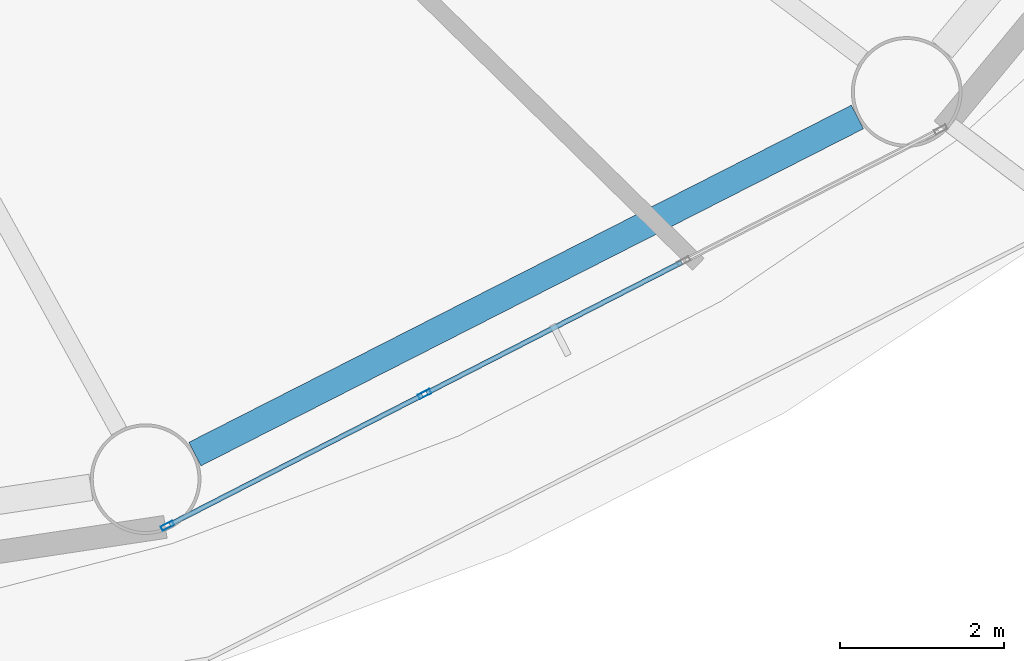
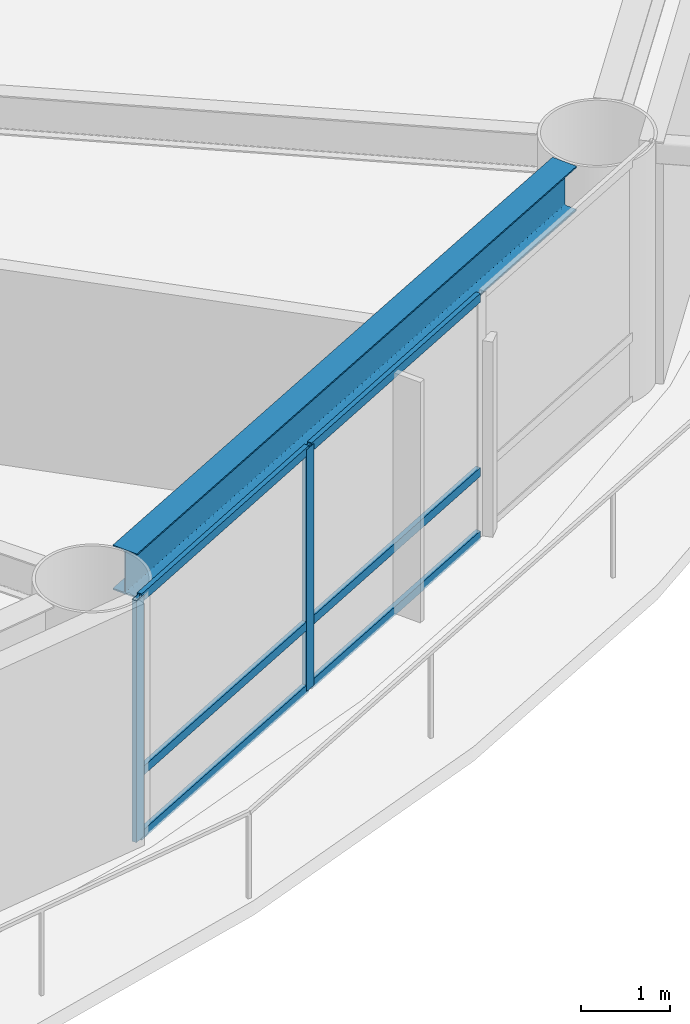
# One storey, part 4 of 24: 8 members, 1 beam, 1 element without a shape of its own.
"""IFC4 building model written with IfcOpenShell, lengths in metres."""

from ifc_helpers import new_model, si_unit, direction, frame, origin, origin_2d, place, context, subcontext, project, spatial, hollow_rectangle, i_section, extrude, material, layer, layer_set, material_profile, profile_set, type_object, element, aggregate, save


model = new_model("IFC4")

# Units and contexts
model_context = context("Model", 3, precision=1e-05, world=origin(), true_north=direction((0.0, 1.0)))
body_context = subcontext(model_context, "Body", "Model", "MODEL_VIEW")
ifc_project = project(units=[si_unit("LENGTHUNIT", "METRE"), si_unit("AREAUNIT", "SQUARE_METRE"), si_unit("VOLUMEUNIT", "CUBIC_METRE"), si_unit("PLANEANGLEUNIT", "RADIAN"), si_unit("MASSUNIT", "GRAM", prefix="KILO")], contexts=[model_context])

# Site, building, storey
site_placement = place(None, origin())
site = spatial("IfcSite", under=ifc_project, at=site_placement, CompositionType="ELEMENT")
building_placement = place(site_placement, origin())
building = spatial("IfcBuilding", under=site, at=building_placement, Name="Sarneth Arch Tower", CompositionType="ELEMENT")
storey_placement = place(building_placement, frame((0.0, 0.0, 130.800048828125)))
storey = spatial("IfcBuildingStorey", under=building, at=storey_placement, Name="L33", CompositionType="ELEMENT", Elevation=130.800048828125)

# Beam
ifc_material_1 = material(Name="Steel S355", Category="steel")
ifc_material_profile_1 = material_profile(ifc_material_1, i_section(OverallWidth=0.323974609375, OverallDepth=0.611083984375, WebThickness=0.0126953125, FlangeThickness=0.01904296875, FilletRadius=0.01904296875, at=origin_2d()), Name="W610x155")
ifc_profile_set_1 = profile_set([ifc_material_profile_1], Name="Steel S355")
beam_type = type_object("IfcBeamType", Name="BM-SPAN-610B", PredefinedType="SPANDREL", material=ifc_profile_set_1)
beam_placement = place(storey_placement, frame((59.7119140625, 22.16552734375, 3.014404296875), z_axis=(0.891255891792, 0.453500755619, 0.0), x_axis=(-0.453500755619, 0.891255891792, 0.0)))
element("IfcBeam", 1, at=beam_placement, inside=storey, type_object=beam_type, Name="L33 Perimeter spandrel beam 14", PredefinedType="SPANDREL", context=body_context, shape_type="SweptSolid", body=[
    extrude(i_section(OverallWidth=0.323974609375, OverallDepth=0.611083984375, WebThickness=0.0126953125, FlangeThickness=0.01904296875, FilletRadius=0.01904296875, at=origin_2d()), origin(), (0.0, 0.0, 1.0), 9.070556640625),
])

# Curtain wall, members
ifc_material_2 = material(Name="Anodised aluminium Type AA25 and solar-control low-e laminated IGU", Category="aluminium")
ifc_layer = layer(ifc_material_2, 0.159912109375)
ifc_layer_set = layer_set([ifc_layer], Name="Anodised aluminium Type AA25 and solar-control low-e laminated IGU")
curtain_wall_type = type_object("IfcCurtainWallType", Name="CW-HOTEL-MID", PredefinedType="NOTDEFINED", material=ifc_layer_set)
curtain_wall_placement = place(storey_placement, origin())
curtain_wall = element("IfcCurtainWall", 2, at=curtain_wall_placement, inside=storey, type_object=curtain_wall_type, Name="L33 Unitised curtain wall facet 14", PredefinedType="NOTDEFINED")
ifc_material_3 = material(Name="Anodised Aluminium 6063-T6", Category="aluminium")
ifc_material_profile_2 = material_profile(ifc_material_3, hollow_rectangle(XDim=0.06005859375, YDim=0.159912109375, WallThickness=0.00390625, at=origin_2d()), Name="AL-MULL-160x60x4")
ifc_profile_set_2 = profile_set([ifc_material_profile_2], Name="Anodised Aluminium 6063-T6")
member_type_1 = type_object("IfcMemberType", Name="CW-MULLION", PredefinedType="MULLION", material=ifc_profile_set_2)
member_1_placement = place(storey_placement, frame((59.3779296875, 21.291015625, 0.0), z_axis=(0.0, 0.0, 1.0), x_axis=(-0.456031365356, 0.889963703649, 0.0)))
member_1 = element("IfcMember", 3, at=member_1_placement, type_object=member_type_1, Name="CW-SYS-4 mullion 1", PredefinedType="MULLION", context=body_context, shape_type="SweptSolid", body=[
    extrude(hollow_rectangle(XDim=0.06005859375, YDim=0.159912109375, WallThickness=0.00390625, at=origin_2d()), origin(), (0.0, 0.0, 1.0), 3.320068359375),
])
member_2_placement = place(storey_placement, frame((62.51416015625, 22.898193359375, 0.0), z_axis=(0.0, 0.0, 1.0), x_axis=(-0.456031365356, 0.889963703649, 0.0)))
member_2 = element("IfcMember", 4, at=member_2_placement, type_object=member_type_1, Name="CW-SYS-4 mullion 2", PredefinedType="MULLION", context=body_context, shape_type="SweptSolid", body=[
    extrude(hollow_rectangle(XDim=0.06005859375, YDim=0.159912109375, WallThickness=0.00390625, at=origin_2d()), origin(), (0.0, 0.0, 1.0), 3.320068359375),
])
ifc_material_4 = material(Name="Anodised Aluminium 6063-T6", Category="aluminium")
ifc_material_profile_3 = material_profile(ifc_material_4, hollow_rectangle(XDim=0.06005859375, YDim=0.1201171875, WallThickness=0.00390625, at=origin_2d()), Name="AL-TRAN-120x60x4")
ifc_profile_set_3 = profile_set([ifc_material_profile_3], Name="Anodised Aluminium 6063-T6")
member_type_2 = type_object("IfcMemberType", Name="CW-TRANSOM", PredefinedType="USERDEFINED", material=ifc_profile_set_3)
member_3_placement = place(storey_placement, frame((59.404541015625, 21.3046875, 0.030029296875), z_axis=(0.889957563627, 0.456043347658, 0.0), x_axis=(-0.456043347658, 0.889957563627, 0.0)))
member_3 = element("IfcMember", 5, at=member_3_placement, type_object=member_type_2, Name="CW-SYS-4 transom 1.1", ObjectType="TRANSOM", PredefinedType="USERDEFINED", context=body_context, shape_type="SweptSolid", body=[
    extrude(hollow_rectangle(XDim=0.06005859375, YDim=0.1201171875, WallThickness=0.00390625, at=origin_2d()), origin(), (0.0, 0.0, 1.0), 3.464111328125),
])
member_4_placement = place(storey_placement, frame((59.404541015625, 21.3046875, 0.89990234375), z_axis=(0.889957563627, 0.456043347658, 0.0), x_axis=(-0.456043347658, 0.889957563627, 0.0)))
member_4 = element("IfcMember", 6, at=member_4_placement, type_object=member_type_2, Name="CW-SYS-4 transom 1.2", ObjectType="TRANSOM", PredefinedType="USERDEFINED", context=body_context, shape_type="SweptSolid", body=[
    extrude(hollow_rectangle(XDim=0.06005859375, YDim=0.1201171875, WallThickness=0.00390625, at=origin_2d()), origin(), (0.0, 0.0, 1.0), 3.464111328125),
])
member_5_placement = place(storey_placement, frame((59.404541015625, 21.3046875, 3.2900390625), z_axis=(0.889957563627, 0.456043347658, 0.0), x_axis=(-0.456043347658, 0.889957563627, 0.0)))
member_5 = element("IfcMember", 7, at=member_5_placement, type_object=member_type_2, Name="CW-SYS-4 transom 1.3", ObjectType="TRANSOM", PredefinedType="USERDEFINED", context=body_context, shape_type="SweptSolid", body=[
    extrude(hollow_rectangle(XDim=0.06005859375, YDim=0.1201171875, WallThickness=0.00390625, at=origin_2d()), origin(), (0.0, 0.0, 1.0), 3.464111328125),
])
member_6_placement = place(storey_placement, frame((62.540771484375, 22.911865234375, 0.030029296875), z_axis=(0.889981813856, 0.455996020823, 0.0), x_axis=(-0.455996020823, 0.889981813856, 0.0)))
member_6 = element("IfcMember", 8, at=member_6_placement, type_object=member_type_2, Name="CW-SYS-4 transom 2.1", ObjectType="TRANSOM", PredefinedType="USERDEFINED", context=body_context, shape_type="SweptSolid", body=[
    extrude(hollow_rectangle(XDim=0.06005859375, YDim=0.1201171875, WallThickness=0.00390625, at=origin_2d()), origin(), (0.0, 0.0, 1.0), 3.494140625),
])
member_7_placement = place(storey_placement, frame((62.540771484375, 22.911865234375, 0.89990234375), z_axis=(0.889981813856, 0.455996020823, 0.0), x_axis=(-0.455996020823, 0.889981813856, 0.0)))
member_7 = element("IfcMember", 9, at=member_7_placement, type_object=member_type_2, Name="CW-SYS-4 transom 2.2", ObjectType="TRANSOM", PredefinedType="USERDEFINED", context=body_context, shape_type="SweptSolid", body=[
    extrude(hollow_rectangle(XDim=0.06005859375, YDim=0.1201171875, WallThickness=0.00390625, at=origin_2d()), origin(), (0.0, 0.0, 1.0), 3.494140625),
])
member_8_placement = place(storey_placement, frame((62.540771484375, 22.911865234375, 3.2900390625), z_axis=(0.889981813856, 0.455996020823, 0.0), x_axis=(-0.455996020823, 0.889981813856, 0.0)))
member_8 = element("IfcMember", 10, at=member_8_placement, type_object=member_type_2, Name="CW-SYS-4 transom 2.3", ObjectType="TRANSOM", PredefinedType="USERDEFINED", context=body_context, shape_type="SweptSolid", body=[
    extrude(hollow_rectangle(XDim=0.06005859375, YDim=0.1201171875, WallThickness=0.00390625, at=origin_2d()), origin(), (0.0, 0.0, 1.0), 3.494140625),
])
aggregate(curtain_wall, [member_1, member_2, member_3, member_4, member_5, member_6, member_7, member_8])

save(model, "model.ifc")
